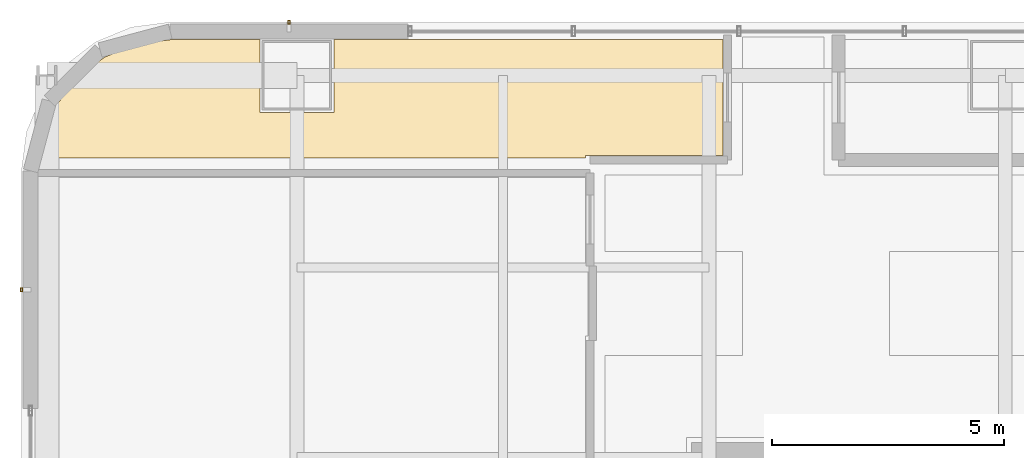
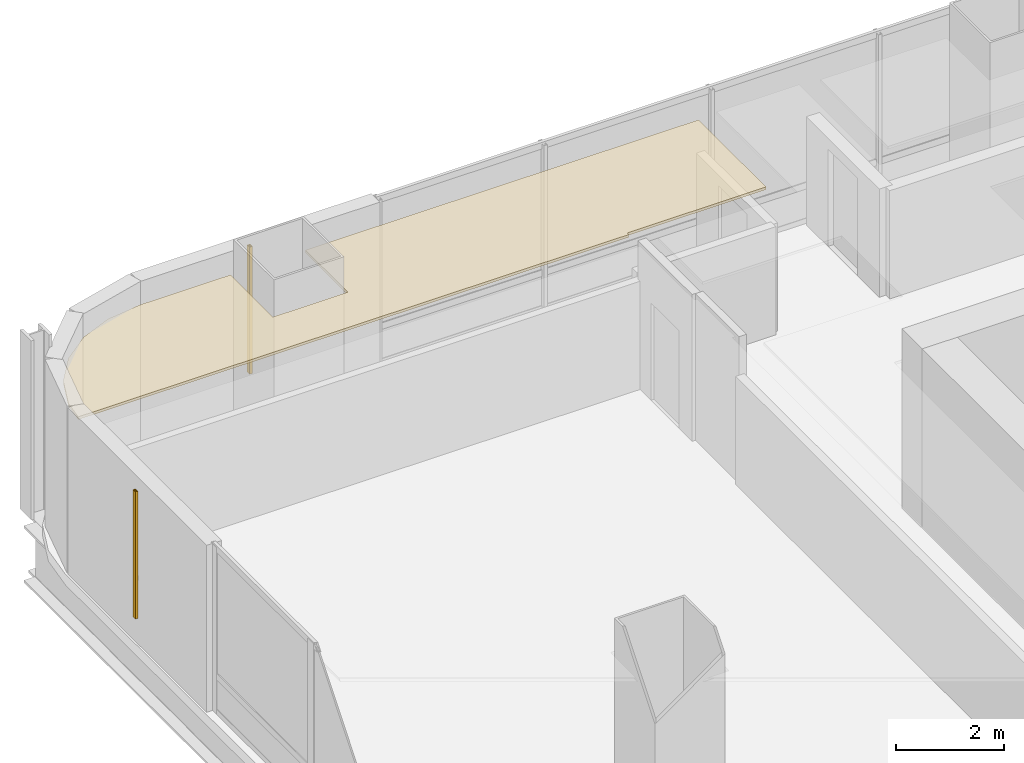
# One storey, part 43 of 45: 2 shading devices, 1 covering.
"""IFC4 building model written with IfcOpenShell, lengths in metres."""

from ifc_helpers import new_model, si_unit, direction, frame, origin, origin_2d, place, context, subcontext, project, spatial, polyline, hollow_rectangle, outline, extrude, material, layer, layer_set, material_profile, profile_set, type_object, element, save


model = new_model("IFC4")

# Units and contexts
model_context = context("Model", 3, precision=1e-05, world=origin(), true_north=direction((0.0, 1.0)))
body_context = subcontext(model_context, "Body", "Model", "MODEL_VIEW")
ifc_project = project(units=[si_unit("LENGTHUNIT", "METRE"), si_unit("AREAUNIT", "SQUARE_METRE"), si_unit("VOLUMEUNIT", "CUBIC_METRE"), si_unit("PLANEANGLEUNIT", "RADIAN"), si_unit("MASSUNIT", "GRAM", prefix="KILO")], contexts=[model_context])

# Site, building, storey
site_placement = place(None, origin())
site = spatial("IfcSite", under=ifc_project, at=site_placement, CompositionType="ELEMENT")
building_placement = place(site_placement, origin())
building = spatial("IfcBuilding", under=site, at=building_placement, Name="Punatoya Terracotta Tower", CompositionType="ELEMENT")
storey_placement = place(building_placement, frame((0.0, 0.0, 56.550048828125)))
storey = spatial("IfcBuildingStorey", under=building, at=storey_placement, Name="L12", CompositionType="ELEMENT", Elevation=56.550048828125)

# Covering
ifc_material_1 = material(Name="Acoustic Mineral Fibre Ceiling")
ifc_layer = layer(ifc_material_1, 0.06005859375)
ifc_layer_set = layer_set([ifc_layer], Name="Acoustic Mineral Fibre Ceiling")
covering_type = type_object("IfcCoveringType", Name="COV-CEIL-60", PredefinedType="CEILING", material=ifc_layer_set)
covering_placement = place(storey_placement, frame((0.0, 0.0, 3.199951171875)))
element("IfcCovering", 1, at=covering_placement, inside=storey, type_object=covering_type, Name="L12 Open-Plan Cultural Reading Library Acoustic Ceiling", PredefinedType="CEILING", context=body_context, shape_type="SweptSolid", body=[
    extrude(outline(polyline([(-18.300048828125, 18.27001953125), (-18.300048828125, 16.699951171875), (-19.89990234375, 16.699951171875), (-19.89990234375, 18.27001953125), (-21.8251953125, 18.27001953125), (-22.5791015625, 18.1708984375), (-23.25830078125, 17.889404296875), (-23.841796875, 17.441650390625), (-24.289306640625, 16.8583984375), (-24.57080078125, 16.178955078125), (-24.632568359375, 15.7099609375), (-12.8701171875, 15.7099609375), (-12.8701171875, 15.77001953125), (-9.89990234375, 15.77001953125), (-9.89990234375, 18.27001953125), (-18.300048828125, 18.27001953125)])), origin(), (0.0, 0.0, 1.0), 0.06005859375),
])

# Shading devices
ifc_material_2 = material(Name="Architectural Fired Terracotta", Category="masonry")
ifc_material_profile = material_profile(ifc_material_2, hollow_rectangle(XDim=0.06005859375, YDim=0.090087890625, WallThickness=0.013916015625, at=origin_2d()))
ifc_profile_set = profile_set([ifc_material_profile], Name="Architectural Fired Terracotta")
shading_device_type = type_object("IfcShadingDeviceType", Name="SHD-JALI-90", PredefinedType="JALOUSIE", material=ifc_profile_set)
for number, where, z_axis, x_axis, name in (
    (2, (-19.2685546875, 18.64990234375, 0.599853515625), (0.0, 0.0, 1.0), (1.0, 0.0, 0.0), "L12 Braced Bay Terracotta Jali Fin N2"),
    (3, (-25.050048828125, 12.868408203125, 0.599853515625), (0.0, 0.0, 1.0), (1.0, 0.0, 0.0), "L12 Braced Bay Terracotta Jali Fin W1"),
):
    element("IfcShadingDevice", number, at=place(storey_placement, frame(where, z_axis=z_axis, x_axis=x_axis)), inside=storey, type_object=shading_device_type, Name=name, PredefinedType="JALOUSIE", context=body_context, shape_type="SweptSolid", body=[
        extrude(hollow_rectangle(XDim=0.06005859375, YDim=0.090087890625, WallThickness=0.013916015625, at=origin_2d()), origin(), (0.0, 0.0, 1.0), 2.8701171875),
    ])

save(model, "model.ifc")
